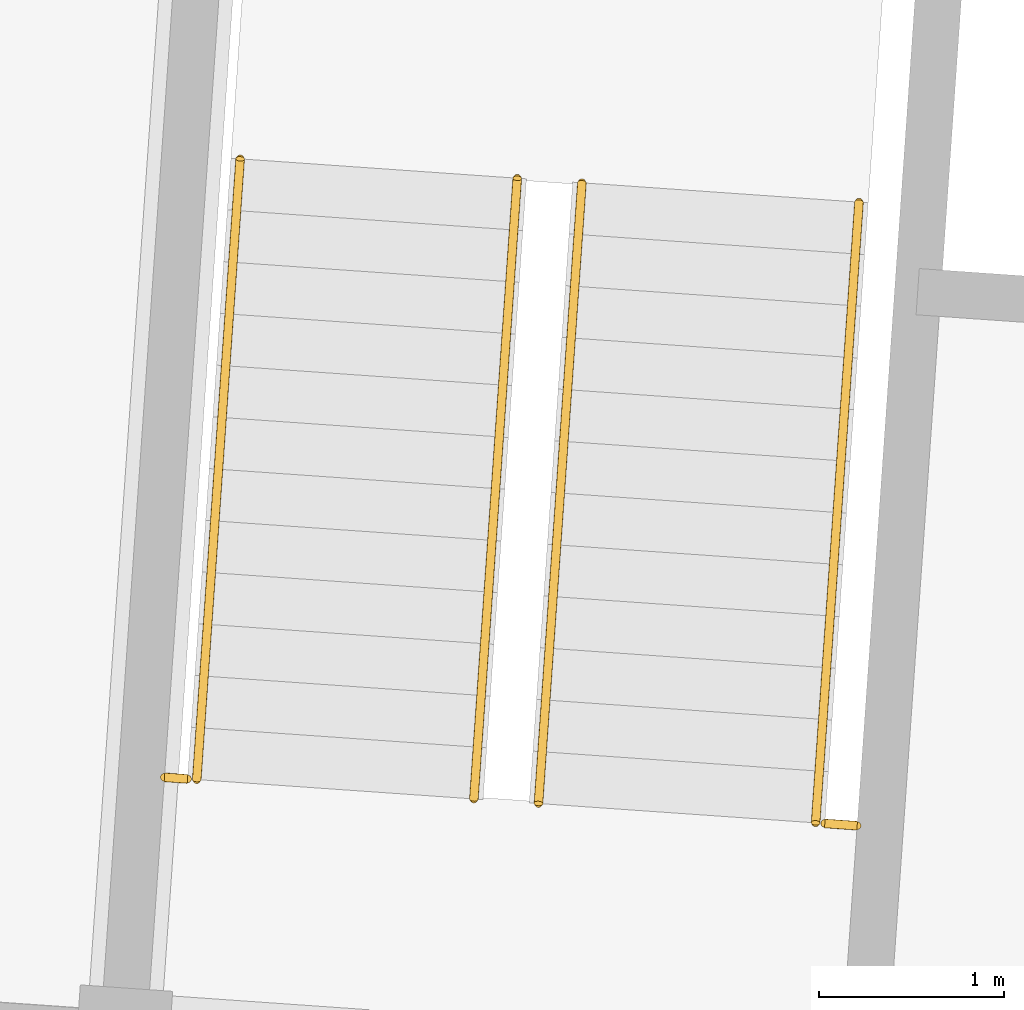
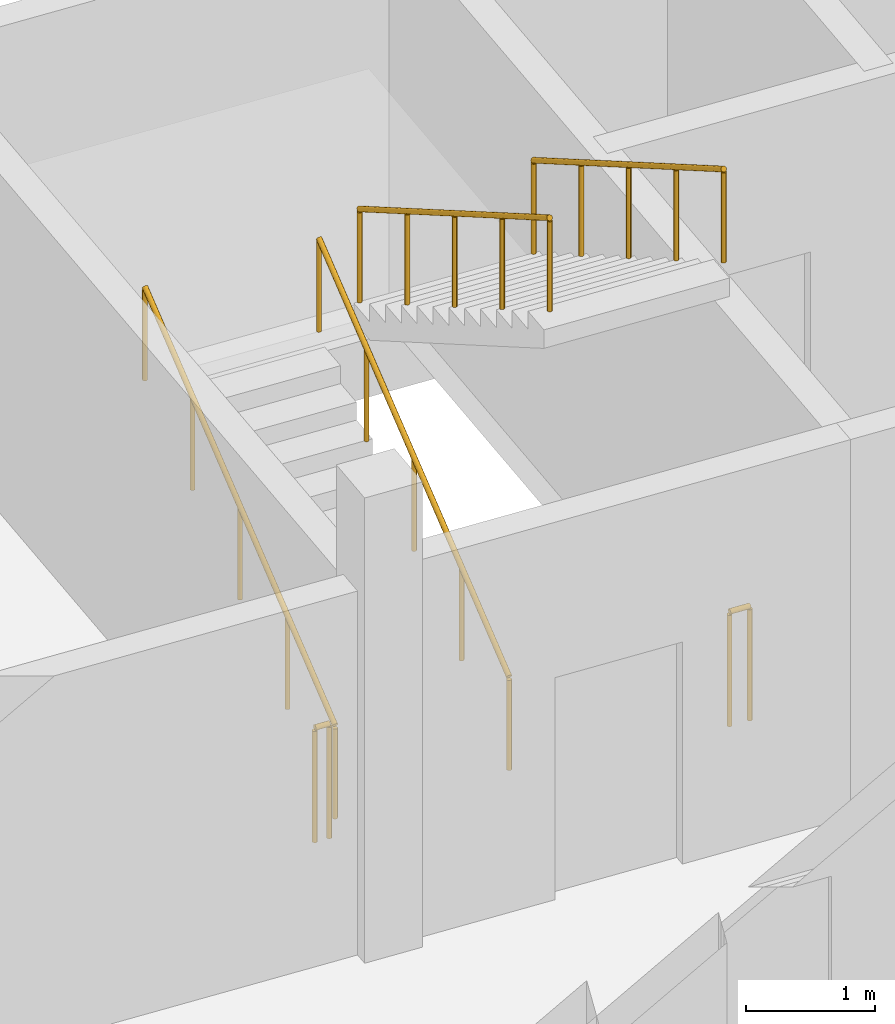
# One storey, part 88 of 95: 6 railings.
"""IFC4 building model written with IfcOpenShell, lengths in metres."""

from ifc_helpers import new_model, si_unit, direction, frame, origin, origin_2d, place, context, subcontext, project, spatial, circle, extrude, material, type_object, element, save


model = new_model("IFC4")

# Units and contexts
model_context = context("Model", 3, precision=1e-05, world=origin(), true_north=direction((0.0, 1.0)))
body_context = subcontext(model_context, "Body", "Model", "MODEL_VIEW")
ifc_project = project(units=[si_unit("LENGTHUNIT", "METRE"), si_unit("AREAUNIT", "SQUARE_METRE"), si_unit("VOLUMEUNIT", "CUBIC_METRE"), si_unit("PLANEANGLEUNIT", "RADIAN"), si_unit("MASSUNIT", "GRAM", prefix="KILO")], contexts=[model_context])

# Site, building, storey
site_placement = place(None, origin())
site = spatial("IfcSite", under=ifc_project, at=site_placement, CompositionType="ELEMENT")
building_placement = place(site_placement, origin())
building = spatial("IfcBuilding", under=site, at=building_placement, Name="Windward Yard Aquatics Centre", CompositionType="ELEMENT")
storey_placement = place(building_placement, frame((0.0, 0.0, 9.39990234375)))
storey = spatial("IfcBuildingStorey", under=building, at=storey_placement, Name="L02", CompositionType="ELEMENT", Elevation=9.39990234375)

# Railings
ifc_material_1 = material(Name="Stainless steel 1.4529", Category="steel")
railing_type_1 = type_object("IfcRailingType", Name="W guard 1100", PredefinedType="GUARDRAIL", material=ifc_material_1)
railing_1_placement = place(storey_placement, frame((118.849609375, 128.827880859375, 0.0)))
element("IfcRailing", 1, at=railing_1_placement, inside=storey, type_object=railing_type_1, Name="W.GS.W.L02.1", PredefinedType="GUARDRAIL", context=body_context, shape_type="SweptSolid", body=[
    extrude(circle(Radius=0.02392578125, at=origin_2d()), frame((0.0, 0.0, 1.076171875), z_axis=(0.997517922262, -0.070413029807, 0.0), x_axis=(0.070413029807, 0.997517922262, 0.0)), (0.0, 0.0, 1.0), 0.124755859375),
    extrude(circle(Radius=0.02099609375, at=origin_2d()), origin(), (0.0, 0.0, 1.0), 1.052001953125),
    extrude(circle(Radius=0.02099609375, at=origin_2d()), frame((0.12451171875, -0.0087890625, 0.0)), (0.0, 0.0, 1.0), 1.052001953125),
])
railing_2_placement = place(storey_placement, frame((122.415771484375, 128.57861328125, 0.0)))
element("IfcRailing", 2, at=railing_2_placement, inside=storey, type_object=railing_type_1, Name="W.GS.W.L02.2", PredefinedType="GUARDRAIL", context=body_context, shape_type="SweptSolid", body=[
    extrude(circle(Radius=0.02392578125, at=origin_2d()), frame((0.0, 0.0, 1.076171875), z_axis=(0.997563824095, -0.069759707979, 0.0), x_axis=(0.069759707979, 0.997563824095, 0.0)), (0.0, 0.0, 1.0), 0.175048828125),
    extrude(circle(Radius=0.02099609375, at=origin_2d()), origin(), (0.0, 0.0, 1.0), 1.052001953125),
    extrude(circle(Radius=0.02099609375, at=origin_2d()), frame((0.174560546875, -0.01220703125, 0.0)), (0.0, 0.0, 1.0), 1.052001953125),
])
ifc_material_2 = material(Name="Stainless steel 1.4401", Category="steel")
railing_type_2 = type_object("IfcRailingType", Name="W handrail 900", PredefinedType="HANDRAIL", material=ifc_material_2)
for number, where, name in (
    (3, (119.02392578125, 128.815673828125, 0.169189453125), "W.HR.W.L02.1L"),
    (4, (120.5205078125, 128.7109375, 0.169189453125), "W.HR.W.L02.1R"),
):
    element("IfcRailing", number, at=place(storey_placement, frame(where)), inside=storey, type_object=railing_type_2, Name=name, PredefinedType="HANDRAIL", context=body_context, shape_type="SweptSolid", body=[
        extrude(circle(Radius=0.02392578125, at=origin_2d()), frame((0.0, 0.0, 0.8759765625), z_axis=(0.059696136281, 0.853716932293, 0.51730433096), x_axis=(-0.997564177681, 0.06975465151, 0.0)), (0.0, 0.0, 1.0), 3.926025390625),
        extrude(circle(Radius=0.02099609375, at=origin_2d()), origin(), (0.0, 0.0, 1.0), 0.851806640625),
        extrude(circle(Radius=0.02099609375, at=origin_2d()), frame((0.05859375, 0.837890625, 0.5078125)), (0.0, 0.0, 1.0), 0.851806640625),
        extrude(circle(Radius=0.02099609375, at=origin_2d()), frame((0.1171875, 1.67578125, 1.015625)), (0.0, 0.0, 1.0), 0.851806640625),
        extrude(circle(Radius=0.02099609375, at=origin_2d()), frame((0.17578125, 2.513916015625, 1.523193359375)), (0.0, 0.0, 1.0), 0.851806640625),
        extrude(circle(Radius=0.02099609375, at=origin_2d()), frame((0.234375, 3.351806640625, 2.031005859375)), (0.0, 0.0, 1.0), 0.851806640625),
    ])
railing_3_placement = place(storey_placement, frame((121.10400390625, 132.038330078125, 2.369384765625)))
element("IfcRailing", 5, at=railing_3_placement, inside=storey, type_object=railing_type_2, Name="W.HR.W.L02.2L", PredefinedType="HANDRAIL", context=body_context, shape_type="SweptSolid", body=[
    extrude(circle(Radius=0.02392578125, at=origin_2d()), frame((0.0, 0.0, 0.8759765625), z_axis=(-0.059760020061, -0.853741223114, 0.517256864583), x_axis=(0.997559118983, -0.069826958507, 0.0)), (0.0, 0.0, 1.0), 3.926025390625),
    extrude(circle(Radius=0.02099609375, at=origin_2d()), origin(), (0.0, 0.0, 1.0), 0.851806640625),
    extrude(circle(Radius=0.02099609375, at=origin_2d()), frame((-0.05859375, -0.837890625, 0.5078125)), (0.0, 0.0, 1.0), 0.851806640625),
    extrude(circle(Radius=0.02099609375, at=origin_2d()), frame((-0.1171875, -1.67578125, 1.015380859375)), (0.0, 0.0, 1.0), 0.851806640625),
    extrude(circle(Radius=0.02099609375, at=origin_2d()), frame((-0.176025390625, -2.513916015625, 1.52294921875)), (0.0, 0.0, 1.0), 0.851806640625),
    extrude(circle(Radius=0.02099609375, at=origin_2d()), frame((-0.234619140625, -3.351806640625, 2.03076171875)), (0.0, 0.0, 1.0), 0.851806640625),
])
railing_4_placement = place(storey_placement, frame((122.600341796875, 131.933837890625, 2.369384765625)))
element("IfcRailing", 6, at=railing_4_placement, inside=storey, type_object=railing_type_2, Name="W.HR.W.L02.2R", PredefinedType="HANDRAIL", context=body_context, shape_type="SweptSolid", body=[
    extrude(circle(Radius=0.02392578125, at=origin_2d()), frame((0.0, 0.0, 0.8759765625), z_axis=(-0.05969805655, -0.853744394147, 0.517258785819), x_axis=(0.997564177681, -0.06975465151, 0.0)), (0.0, 0.0, 1.0), 3.926025390625),
    extrude(circle(Radius=0.02099609375, at=origin_2d()), origin(), (0.0, 0.0, 1.0), 0.851806640625),
    extrude(circle(Radius=0.02099609375, at=origin_2d()), frame((-0.05859375, -0.837890625, 0.5078125)), (0.0, 0.0, 1.0), 0.851806640625),
    extrude(circle(Radius=0.02099609375, at=origin_2d()), frame((-0.1171875, -1.67578125, 1.015380859375)), (0.0, 0.0, 1.0), 0.851806640625),
    extrude(circle(Radius=0.02099609375, at=origin_2d()), frame((-0.17578125, -2.513916015625, 1.52294921875)), (0.0, 0.0, 1.0), 0.851806640625),
    extrude(circle(Radius=0.02099609375, at=origin_2d()), frame((-0.234375, -3.351806640625, 2.03076171875)), (0.0, 0.0, 1.0), 0.851806640625),
])

save(model, "model.ifc")
